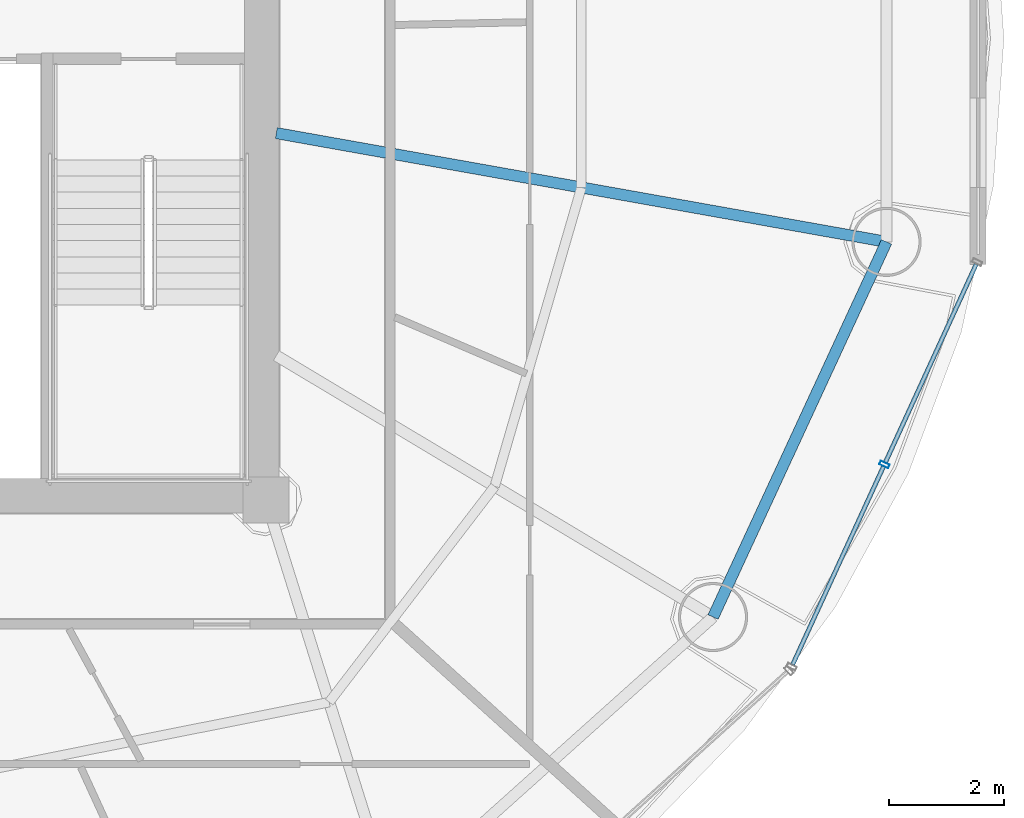
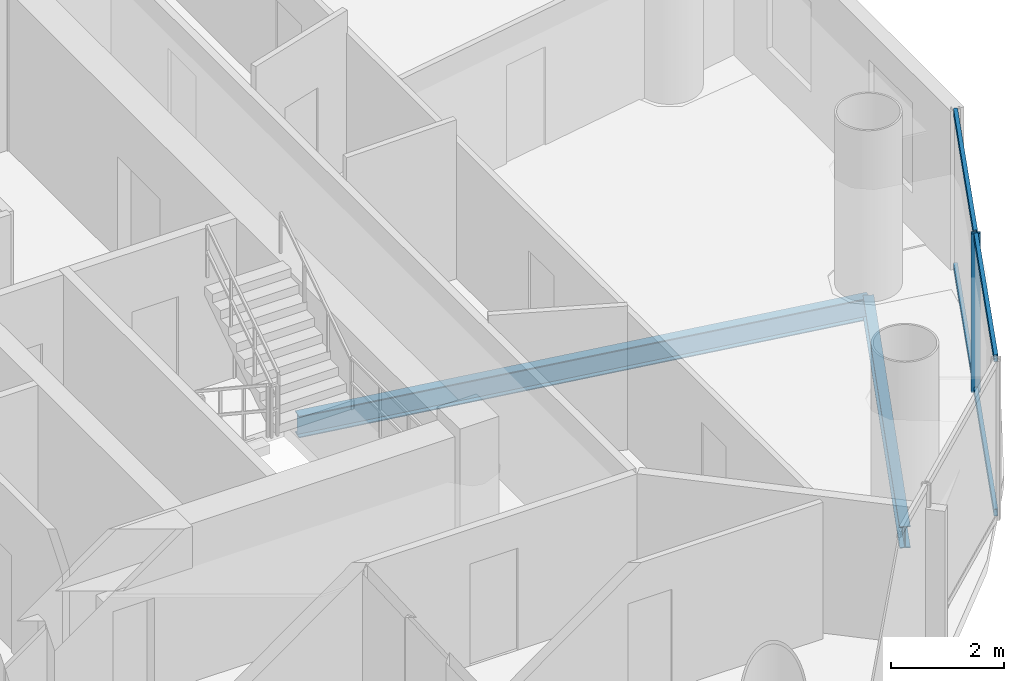
# One storey, part 11 of 26: 5 members, 2 beams, 1 element without a shape of its own.
"""IFC4 building model written with IfcOpenShell, lengths in metres."""

from ifc_helpers import new_model, si_unit, direction, frame, origin, origin_2d, place, context, subcontext, project, spatial, hollow_rectangle, i_section, extrude, source, transform, mapped, material, material_profile, profile_set, type_object, element, aggregate, save


model = new_model("IFC4")

# Units and contexts
model_context = context("Model", 3, precision=1e-05, world=origin(), true_north=direction((-0.2419218956, 0.970295726276)))
body_context = subcontext(model_context, "Body", "Model", "MODEL_VIEW")
ifc_project = project(units=[si_unit("LENGTHUNIT", "METRE"), si_unit("AREAUNIT", "SQUARE_METRE"), si_unit("VOLUMEUNIT", "CUBIC_METRE"), si_unit("PLANEANGLEUNIT", "RADIAN"), si_unit("MASSUNIT", "GRAM", prefix="KILO")], contexts=[model_context])

# Site, building, storey
site_placement = place(None, origin())
site = spatial("IfcSite", under=ifc_project, at=site_placement, CompositionType="ELEMENT")
building_placement = place(site_placement, origin())
building = spatial("IfcBuilding", under=site, at=building_placement, Name="Cobrevalo Terracotta Tower", CompositionType="ELEMENT")
storey_placement = place(building_placement, frame((0.0, 0.0, 209.699951171875)))
storey = spatial("IfcBuildingStorey", under=building, at=storey_placement, Name="L55", CompositionType="ELEMENT", Elevation=209.699951171875)

# Beams
ifc_material_1 = material(Name="Steel S355", Category="steel")
ifc_material_profile_1 = material_profile(ifc_material_1, i_section(OverallWidth=0.194091796875, OverallDepth=0.468994140625, WebThickness=0.011474609375, FlangeThickness=0.0205078125, at=origin_2d()), Name="W 460x106")
ifc_profile_set_1 = profile_set([ifc_material_profile_1], Name="Steel S355")
beam_type_1 = type_object("IfcBeamType", Name="Structural Beam W 460x106 (Steel S355)", PredefinedType="BEAM", material=ifc_profile_set_1)
beam_1_placement = place(storey_placement, frame((57.762939453125, 23.278564453125, -0.49951171875), z_axis=(-0.984493198547, 0.175422752274, 0.0), x_axis=(-0.175422752274, -0.984493198547, 0.0)))
element("IfcBeam", 1, at=beam_1_placement, inside=storey, type_object=beam_type_1, Name="L55 radial floor girder 16", PredefinedType="BEAM", context=body_context, shape_type="SweptSolid", body=[
    extrude(i_section(OverallWidth=0.194091796875, OverallDepth=0.468994140625, WebThickness=0.011474609375, FlangeThickness=0.0205078125, at=origin_2d()), origin(), (0.0, 0.0, 1.0), 10.749755859375),
])
ifc_material_profile_2 = material_profile(ifc_material_1, i_section(OverallWidth=0.194091796875, OverallDepth=0.468994140625, WebThickness=0.011474609375, FlangeThickness=0.0205078125, at=origin_2d()), Name="W 460x106")
ifc_profile_set_2 = profile_set([ifc_material_profile_2], Name="Steel S355")
beam_type_2 = type_object("IfcBeamType", Name="Structural Spandrel W 460x106 (Steel S355)", PredefinedType="SPANDREL", material=ifc_profile_set_2)
beam_2_placement = place(storey_placement, frame((54.754150390625, 16.77197265625, -0.49951171875), z_axis=(0.419718939129, 0.90765412583, 0.0), x_axis=(-0.90765412583, 0.419718939129, 0.0)))
element("IfcBeam", 2, at=beam_2_placement, inside=storey, type_object=beam_type_2, Name="L55 perimeter ring spandrel 15", PredefinedType="SPANDREL", context=body_context, shape_type="SweptSolid", body=[
    extrude(i_section(OverallWidth=0.194091796875, OverallDepth=0.468994140625, WebThickness=0.011474609375, FlangeThickness=0.0205078125, at=origin_2d()), origin(), (0.0, 0.0, 1.0), 7.168701171875),
])

# Curtain wall, members
ifc_material_2 = material(Name="Anodized aluminium", Category="aluminium")
curtain_wall_type = type_object("IfcCurtainWallType", Name="Mid-tower high-wind unitised curtain wall CW-U2", PredefinedType="NOTDEFINED", material=ifc_material_2)
curtain_wall_placement = place(storey_placement, origin())
curtain_wall = element("IfcCurtainWall", 3, at=curtain_wall_placement, inside=storey, type_object=curtain_wall_type, Name="L55 curtain wall CW-L55-S15", PredefinedType="NOTDEFINED")
ifc_material_profile_3 = material_profile(ifc_material_2, hollow_rectangle(XDim=0.074951171875, YDim=0.14990234375, WallThickness=0.00439453125, at=origin_2d()), Name="CWT 75x150")
ifc_profile_set_3 = profile_set([ifc_material_profile_3], Name="Anodized aluminium")
member_type_1 = type_object("IfcMemberType", Name="Tower unitised aluminium transom 75x150", PredefinedType="USERDEFINED", material=ifc_profile_set_3)
shared_shape_1 = source(origin(), body_context, "Body", "SweptSolid", [
    extrude(hollow_rectangle(XDim=0.074951171875, YDim=0.14990234375, WallThickness=0.00439453125, at=origin_2d()), origin(), (0.0, 0.0, 1.0), 3.780029296875),
])
member_1_placement = place(storey_placement, frame((56.134521484375, 15.944580078125, 0.050048828125), z_axis=(0.416705859352, 0.909041377926, 0.0), x_axis=(-0.909041377926, 0.416705859352, 0.0)))
member_1 = element("IfcMember", 4, at=member_1_placement, type_object=member_type_1, Name="CW-L55-S15 transom B01-T1", ObjectType="TRANSOM", PredefinedType="USERDEFINED", context=body_context, shape_type="MappedRepresentation", body=[
    mapped(shared_shape_1, transform((0.0, 0.0, 0.0), scale=1.0)),
])
member_2_placement = place(storey_placement, frame((56.134521484375, 15.944580078125, 3.385009765625), z_axis=(0.416705859352, 0.909041377926, 0.0), x_axis=(-0.909041377926, 0.416705859352, 0.0)))
member_2 = element("IfcMember", 5, at=member_2_placement, type_object=member_type_1, Name="CW-L55-S15 transom B01-T2", ObjectType="TRANSOM", PredefinedType="USERDEFINED", context=body_context, shape_type="MappedRepresentation", body=[
    mapped(shared_shape_1, transform((0.0, 0.0, 0.0), scale=1.0)),
])
member_3_placement = place(storey_placement, frame((57.7431640625, 19.45361328125, 0.050048828125), z_axis=(0.416705859352, 0.909041377926, 0.0), x_axis=(-0.909041377926, 0.416705859352, 0.0)))
member_3 = element("IfcMember", 6, at=member_3_placement, type_object=member_type_1, Name="CW-L55-S15 transom B02-T1", ObjectType="TRANSOM", PredefinedType="USERDEFINED", context=body_context, shape_type="MappedRepresentation", body=[
    mapped(shared_shape_1, transform((0.0, 0.0, 0.0), scale=1.0)),
])
member_4_placement = place(storey_placement, frame((57.7431640625, 19.45361328125, 3.385009765625), z_axis=(0.416705859352, 0.909041377926, 0.0), x_axis=(-0.909041377926, 0.416705859352, 0.0)))
member_4 = element("IfcMember", 7, at=member_4_placement, type_object=member_type_1, Name="CW-L55-S15 transom B02-T2", ObjectType="TRANSOM", PredefinedType="USERDEFINED", context=body_context, shape_type="MappedRepresentation", body=[
    mapped(shared_shape_1, transform((0.0, 0.0, 0.0), scale=1.0)),
])
ifc_material_profile_4 = material_profile(ifc_material_2, hollow_rectangle(XDim=0.070068359375, YDim=0.169921875, WallThickness=0.00439453125, at=origin_2d()), Name="CWM 70x170")
ifc_profile_set_4 = profile_set([ifc_material_profile_4], Name="Anodized aluminium")
member_type_2 = type_object("IfcMemberType", Name="Upper tower unitised mullion 70x170", PredefinedType="MULLION", material=ifc_profile_set_4)
shared_shape_2 = source(origin(), body_context, "Body", "SweptSolid", [
    extrude(hollow_rectangle(XDim=0.070068359375, YDim=0.169921875, WallThickness=0.00439453125, at=origin_2d()), origin(), (0.0, 0.0, 1.0), 3.43505859375),
])
member_5_placement = place(storey_placement, frame((57.726318359375, 19.417236328125, 0.0), z_axis=(0.0, 0.0, 1.0), x_axis=(0.41672507912, 0.909032567311, 0.0)))
member_5 = element("IfcMember", 8, at=member_5_placement, type_object=member_type_2, Name="CW-L55-S15 vertical mullion 02", PredefinedType="MULLION", context=body_context, shape_type="MappedRepresentation", body=[
    mapped(shared_shape_2, transform((0.0, 0.0, 0.0), scale=1.0)),
])
aggregate(curtain_wall, [member_5, member_1, member_2, member_3, member_4])

save(model, "model.ifc")
